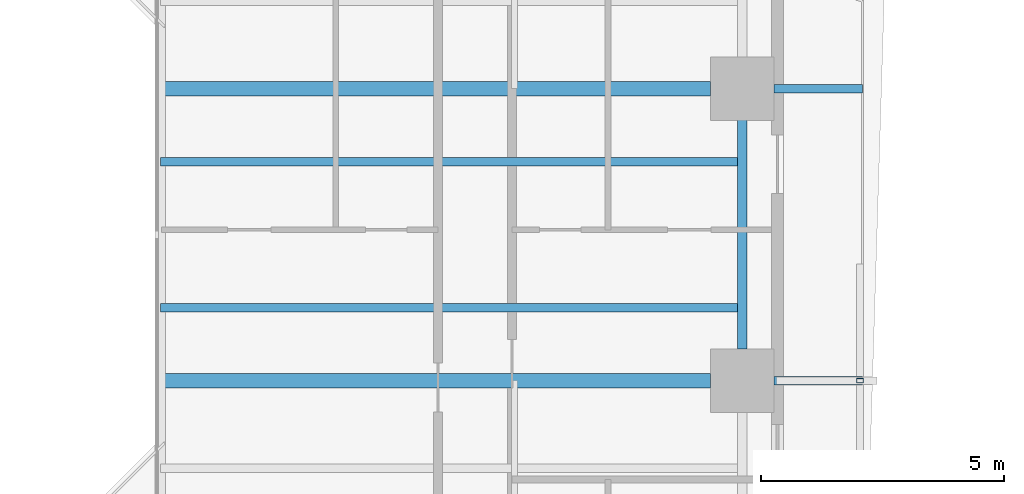
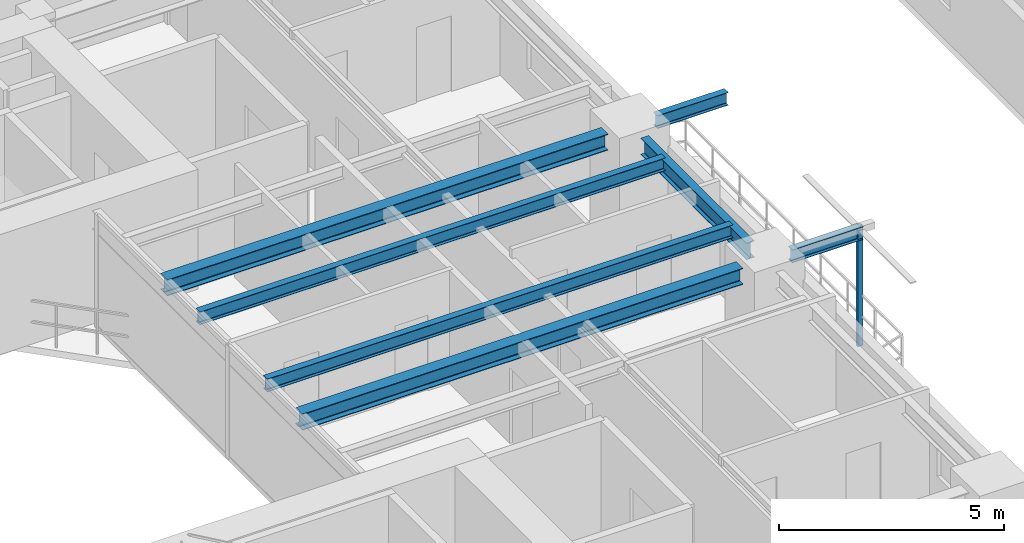
# One storey, part 7 of 24: 7 beams, 1 member.
"""IFC4 building model written with IfcOpenShell, lengths in metres."""

from ifc_helpers import new_model, si_unit, direction, frame, origin, origin_2d, place, context, subcontext, project, spatial, hollow_rectangle, i_section, extrude, source, transform, mapped, material, material_profile, profile_set, type_object, element, save


model = new_model("IFC4")

# Units and contexts
model_context = context("Model", 3, precision=1e-05, world=origin(), true_north=direction((0.0, 1.0)))
body_context = subcontext(model_context, "Body", "Model", "MODEL_VIEW")
ifc_project = project(units=[si_unit("LENGTHUNIT", "METRE"), si_unit("AREAUNIT", "SQUARE_METRE"), si_unit("VOLUMEUNIT", "CUBIC_METRE"), si_unit("PLANEANGLEUNIT", "RADIAN"), si_unit("MASSUNIT", "GRAM", prefix="KILO"), si_unit("THERMODYNAMICTEMPERATUREUNIT", "KELVIN"), si_unit("POWERUNIT", "WATT")], contexts=[model_context])

# Site, building, storey
site_placement = place(None, origin())
site = spatial("IfcSite", under=ifc_project, at=site_placement, CompositionType="ELEMENT")
building_placement = place(site_placement, origin())
building = spatial("IfcBuilding", under=site, at=building_placement, Name="Qiaomeng Ring Towers", CompositionType="ELEMENT")
storey_placement = place(building_placement, frame((0.0, 0.0, 36.0)))
storey = spatial("IfcBuildingStorey", under=building, at=storey_placement, Name="L09", CompositionType="ELEMENT", Elevation=36.0)

# Beams
ifc_material_1 = material(Name="Steel Q355B", Category="steel")
ifc_material_profile_1 = material_profile(ifc_material_1, i_section(OverallWidth=0.199951171875, OverallDepth=0.449951171875, WebThickness=0.009033203125, FlangeThickness=0.013916015625, FilletRadius=0.01806640625, at=origin_2d()), Name="HN 450x200x9x14")
ifc_profile_set_1 = profile_set([ifc_material_profile_1], Name="Steel Q355B")
beam_type_1 = type_object("IfcBeamType", Name="STR-BM-HN450", PredefinedType="SPANDREL", material=ifc_profile_set_1)
shared_shape_1 = source(origin(), body_context, "Body", "SweptSolid", [
    extrude(i_section(OverallWidth=0.199951171875, OverallDepth=0.449951171875, WebThickness=0.009033203125, FlangeThickness=0.013916015625, FilletRadius=0.01806640625, at=origin_2d()), origin(), (0.0, 0.0, 1.0), 4.7021484375),
])
beam_placement = place(storey_placement, frame((37.14990234375, 20.64892578125, 2.844970703125), z_axis=(0.0, 1.0, 0.0), x_axis=(-1.0, 0.0, 0.0)))
element("IfcBeam", 1, at=beam_placement, inside=storey, type_object=beam_type_1, Name="L09 beam STR-SP-L09-T1-E2-E3", PredefinedType="SPANDREL", context=body_context, shape_type="MappedRepresentation", body=[
    mapped(shared_shape_1, transform((0.0, 0.0, 0.0), x_axis=(1.0, 0.0, 0.0), y_axis=(0.0, 1.0, 0.0), z_axis=(0.0, 0.0, 1.0), scale=1.0)),
])
ifc_material_profile_2 = material_profile(ifc_material_1, i_section(OverallWidth=0.300048828125, OverallDepth=0.43994140625, WebThickness=0.010986328125, FlangeThickness=0.01806640625, FilletRadius=0.02392578125, at=origin_2d()), Name="HM 440x300x11x18")
ifc_profile_set_2 = profile_set([ifc_material_profile_2], Name="Steel Q355B")
beam_type_2 = type_object("IfcBeamType", Name="STR-BM-HM440", PredefinedType="BEAM", material=ifc_profile_set_2)
shared_shape_2 = source(origin(), body_context, "Body", "SweptSolid", [
    extrude(i_section(OverallWidth=0.300048828125, OverallDepth=0.43994140625, WebThickness=0.010986328125, FlangeThickness=0.01806640625, FilletRadius=0.02392578125, at=origin_2d()), origin(), (0.0, 0.0, 1.0), 11.301025390625),
])
for number, where, z_axis, x_axis, name in (
    (2, (25.199951171875, 20.0, 2.85009765625), (1.0, 0.0, 0.0), (0.0, 1.0, 0.0), "L09 beam STR-BM-L09-T1-RAD-E2"),
    (3, (25.199951171875, 26.0, 2.85009765625), (1.0, 0.0, 0.0), (0.0, 1.0, 0.0), "L09 beam STR-BM-L09-T1-RAD-E3"),
):
    element("IfcBeam", number, at=place(storey_placement, frame(where, z_axis=z_axis, x_axis=x_axis)), inside=storey, type_object=beam_type_2, Name=name, PredefinedType="BEAM", context=body_context, shape_type="MappedRepresentation", body=[
        mapped(shared_shape_2, transform((0.0, 0.0, 0.0), x_axis=(1.0, 0.0, 0.0), y_axis=(0.0, 1.0, 0.0), z_axis=(0.0, 0.0, 1.0), scale=1.0)),
    ])
ifc_material_profile_3 = material_profile(ifc_material_1, i_section(OverallWidth=0.175048828125, OverallDepth=0.35009765625, WebThickness=0.007080078125, FlangeThickness=0.010986328125, FilletRadius=0.013916015625, at=origin_2d()), Name="HN 350x175x7x11")
ifc_profile_set_3 = profile_set([ifc_material_profile_3], Name="Steel Q355B")
beam_type_3 = type_object("IfcBeamType", Name="STR-BM-HN350", PredefinedType="JOIST", material=ifc_profile_set_3)
shared_shape_3 = source(origin(), body_context, "Body", "SweptSolid", [
    extrude(i_section(OverallWidth=0.175048828125, OverallDepth=0.35009765625, WebThickness=0.007080078125, FlangeThickness=0.010986328125, FilletRadius=0.013916015625, at=origin_2d()), origin(), (0.0, 0.0, 1.0), 1.821044921875),
])
for number, where, z_axis, x_axis, name in (
    (4, (37.799072265625, 20.0, 2.89501953125), (1.0, 0.0, 0.0), (0.0, 1.0, 0.0), "L09 beam STR-BALBM-L09-E2"),
    (5, (37.799072265625, 26.0, 2.89501953125), (1.0, 0.0, 0.0), (0.0, 1.0, 0.0), "L09 beam STR-BALBM-L09-E3"),
):
    element("IfcBeam", number, at=place(storey_placement, frame(where, z_axis=z_axis, x_axis=x_axis)), inside=storey, type_object=beam_type_3, Name=name, PredefinedType="JOIST", context=body_context, shape_type="MappedRepresentation", body=[
        mapped(shared_shape_3, transform((0.0, 0.0, 0.0), x_axis=(1.0, 0.0, 0.0), y_axis=(0.0, 1.0, 0.0), z_axis=(0.0, 0.0, 1.0), scale=1.0)),
    ])
shared_shape_4 = source(origin(), body_context, "Body", "SweptSolid", [
    extrude(i_section(OverallWidth=0.175048828125, OverallDepth=0.35009765625, WebThickness=0.007080078125, FlangeThickness=0.010986328125, FilletRadius=0.013916015625, at=origin_2d()), origin(), (0.0, 0.0, 1.0), 11.949951171875),
])
for number, where, z_axis, x_axis, name in (
    (6, (25.199951171875, 21.5, 2.89501953125), (1.0, 0.0, 0.0), (0.0, 1.0, 0.0), "L09 beam STR-JST-L09-T1E-2"),
    (7, (25.199951171875, 24.5, 2.89501953125), (1.0, 0.0, 0.0), (0.0, 1.0, 0.0), "L09 beam STR-JST-L09-T1E-3"),
):
    element("IfcBeam", number, at=place(storey_placement, frame(where, z_axis=z_axis, x_axis=x_axis)), inside=storey, type_object=beam_type_3, Name=name, PredefinedType="JOIST", context=body_context, shape_type="MappedRepresentation", body=[
        mapped(shared_shape_4, transform((0.0, 0.0, 0.0), x_axis=(1.0, 0.0, 0.0), y_axis=(0.0, 1.0, 0.0), z_axis=(0.0, 0.0, 1.0), scale=1.0)),
    ])

# Member
ifc_material_2 = material(Name="Stainless steel 316", Category="steel")
ifc_material_profile_4 = material_profile(ifc_material_2, hollow_rectangle(XDim=0.090087890625, YDim=0.139892578125, WallThickness=0.0048828125, at=origin_2d()), Name="SS TRELLIS 90x140")
ifc_profile_set_4 = profile_set([ifc_material_profile_4], Name="Stainless steel 316")
member_type = type_object("IfcMemberType", Name="ARC-TR-POST1", PredefinedType="STUD", material=ifc_profile_set_4)
shared_shape_5 = source(origin(), body_context, "Body", "SweptSolid", [
    extrude(hollow_rectangle(XDim=0.090087890625, YDim=0.139892578125, WallThickness=0.0048828125, at=origin_2d()), origin(), (0.0, 0.0, 1.0), 3.25),
])
member_placement = place(storey_placement, frame((39.570068359375, 20.0, -0.179931640625), z_axis=(0.0, 0.0, 1.0), x_axis=(0.0, 1.0, 0.0)))
element("IfcMember", 8, at=member_placement, inside=storey, type_object=member_type, Name="L09 Outer Ventilated Trellis Post E", PredefinedType="STUD", context=body_context, shape_type="MappedRepresentation", body=[
    mapped(shared_shape_5, transform((0.0, 0.0, 0.0), x_axis=(1.0, 0.0, 0.0), y_axis=(0.0, 1.0, 0.0), z_axis=(0.0, 0.0, 1.0), scale=1.0)),
])

save(model, "model.ifc")
